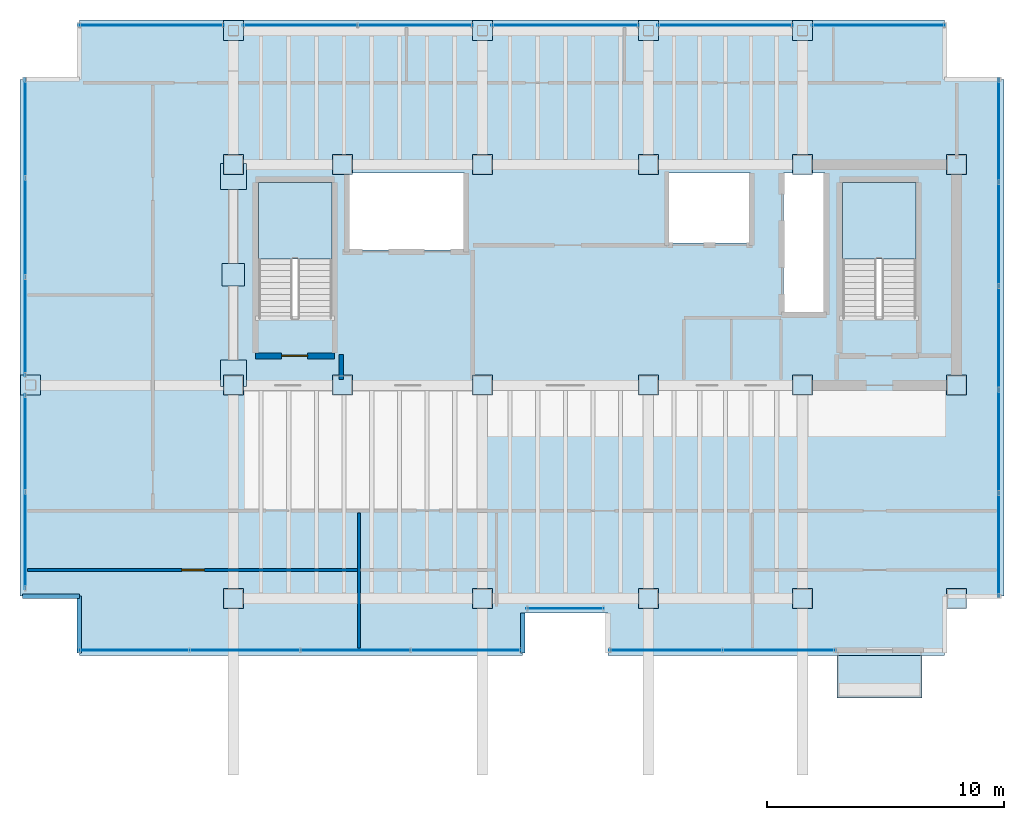
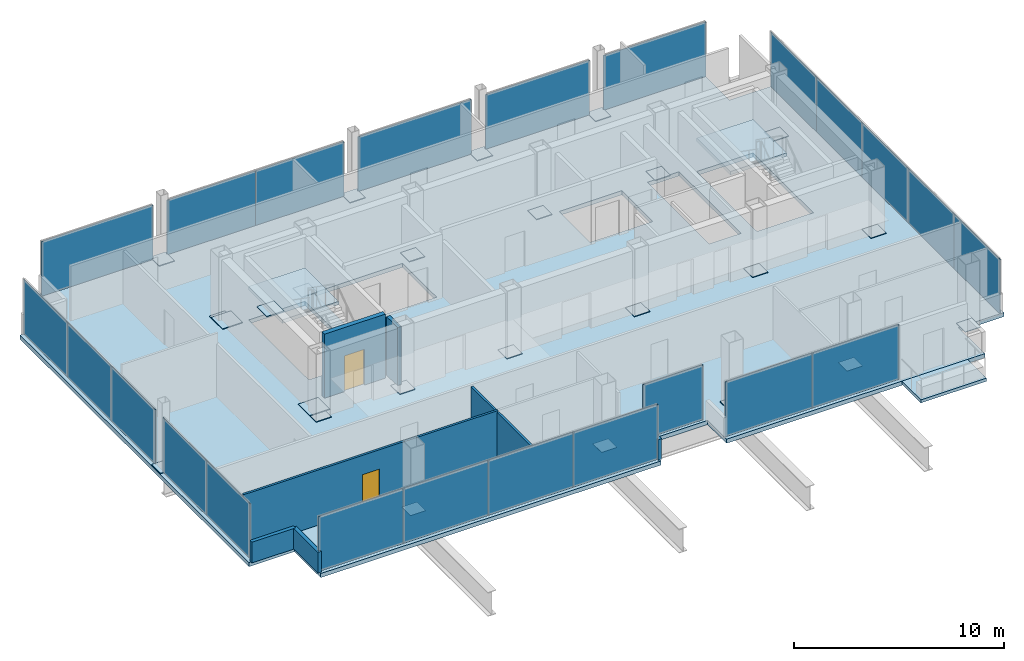
# One storey, part 16 of 19: 48 plates, 7 walls, 4 slabs, 2 doors, 7 openings, 13 elements without a shape of their own.
"""IFC4 building model written with IfcOpenShell, lengths in metres."""

import ifcopenshell
import ifcopenshell.guid

model = None  # the IFC model being written
_history = None  # IfcOwnerHistory: only IFC2X3 demands one
_inside = {}  # id of a spatial element -> (the spatial element, [elements in it])
_under = {}  # id of a project, library or spatial element -> (it, [spatial elements below it])
_declared = {}  # id of a project -> (the project, [libraries it declares])
_typed = {}  # id of a type object -> (the type object, [elements of that type])
_made_of = {}  # id of a material, layer set ... -> (it, [elements and type objects made of it])


def new_model(schema):
    """Start an empty IFC model of exactly this schema.

    Asked for "IFC4X3", IfcOpenShell would pick the latest addendum, in which some entities
    have other attributes; the version numbers below select the first issue.
    IFC2X3 requires an IfcOwnerHistory on every rooted entity: one is made here for all.
    """
    global model, _history
    if schema == "IFC4X3":
        model = ifcopenshell.file(schema_version=(4, 3, 0, 0))
    else:
        model = ifcopenshell.file(schema=schema)
    _inside.clear()
    _under.clear()
    _declared.clear()
    _typed.clear()
    _made_of.clear()
    _history = None
    if model.schema == "IFC2X3":
        org = make("IfcOrganization", Name="unknown")
        user = make(
            "IfcPersonAndOrganization",
            ThePerson=make("IfcPerson", FamilyName="unknown"),
            TheOrganization=org,
        )
        app = make(
            "IfcApplication",
            ApplicationDeveloper=org,
            Version="unknown",
            ApplicationFullName="unknown",
            ApplicationIdentifier="unknown",
        )
        _history = make(
            "IfcOwnerHistory",
            OwningUser=user,
            OwningApplication=app,
            ChangeAction="ADDED",
            CreationDate=0,
        )
    return model


def make(cls, **values):
    """One entity of the class cls with the attributes given. An attribute that is None is left unset."""
    return model.create_entity(
        cls, **{name: value for name, value in values.items() if value is not None}
    )


def rooted(cls, **values):
    """An entity with a GlobalId (a new one), such as an element, a storey or a relation."""
    return make(cls, GlobalId=ifcopenshell.guid.new(), OwnerHistory=_history, **values)


def si_unit(unit_type, name, prefix=None):
    """IfcSIUnit, for example si_unit("LENGTHUNIT", "METRE", prefix="MILLI")."""
    return make("IfcSIUnit", UnitType=unit_type, Prefix=prefix, Name=name)


def assignment(units):
    """IfcUnitAssignment: the units of a project."""
    return None if units is None else make("IfcUnitAssignment", Units=units)


def point(xyz):
    """IfcCartesianPoint."""
    return None if xyz is None else make("IfcCartesianPoint", Coordinates=xyz)


def direction(xyz):
    """IfcDirection."""
    return None if xyz is None else make("IfcDirection", DirectionRatios=xyz)


def frame(location, z_axis=None, x_axis=None):
    """IfcAxis2Placement3D, a coordinate frame: its origin and axes. An axis left out is left unset."""
    return make(
        "IfcAxis2Placement3D",
        Location=point(location),
        Axis=direction(z_axis),
        RefDirection=direction(x_axis),
    )


def frame_2d(location, x_axis=None):
    """IfcAxis2Placement2D, a coordinate frame in the plane: its origin and x axis."""
    return make(
        "IfcAxis2Placement2D", Location=point(location), RefDirection=direction(x_axis)
    )


def origin():
    """The frame at (0, 0, 0) with its axes left unset."""
    return frame((0.0, 0.0, 0.0))


def origin_2d():
    """The frame at (0, 0) in the plane with its x axis left unset."""
    return frame_2d((0.0, 0.0))


def place(relative_to, where):
    """IfcLocalPlacement: puts the frame where relative to a parent placement (None: the world)."""
    return make(
        "IfcLocalPlacement", PlacementRelTo=relative_to, RelativePlacement=where
    )


def context(
    kind, dimensions, precision=None, world=None, true_north=None, identifier=None
):
    """IfcGeometricRepresentationContext, for example the 3D "Model" context."""
    return make(
        "IfcGeometricRepresentationContext",
        ContextIdentifier=identifier,
        ContextType=kind,
        CoordinateSpaceDimension=dimensions,
        Precision=precision,
        WorldCoordinateSystem=world,
        TrueNorth=true_north,
    )


def subcontext(parent, identifier, kind, view, scale=None):
    """IfcGeometricRepresentationSubContext, for example "Body" below "Model"."""
    return make(
        "IfcGeometricRepresentationSubContext",
        ContextIdentifier=identifier,
        ContextType=kind,
        ParentContext=parent,
        TargetScale=scale,
        TargetView=view,
    )


def project(units=None, contexts=None):
    """IfcProject with its units and contexts."""
    return rooted(
        "IfcProject",
        Name="project",
        RepresentationContexts=contexts,
        UnitsInContext=assignment(units),
    )


def spatial(cls, under=None, at=None, **own):
    """A site, building, storey or space (cls), placed at a placement, below another one or the project."""
    s = rooted(cls, ObjectPlacement=at, **own)
    if under is not None:
        _under.setdefault(under.id(), (under, []))[1].append(s)
    return s


def polyline(points):
    """IfcPolyline through the points."""
    return make("IfcPolyline", Points=[point(p) for p in points])


def profile(cls, at=None, kind="AREA", **sizes):
    """A parametric profile (cls). Its sizes go by their IFC names, for example OverallWidth=200.0."""
    return make(cls, ProfileType=kind, Position=at, **sizes)


def rectangle(**sizes):
    """IfcRectangleProfileDef."""
    return profile("IfcRectangleProfileDef", **sizes)


def outline(outer, holes=None, kind="AREA"):
    """IfcArbitraryClosedProfileDef: a profile drawn as a closed curve; with holes, ...WithVoids."""
    if holes is None:
        return make("IfcArbitraryClosedProfileDef", ProfileType=kind, OuterCurve=outer)
    return make(
        "IfcArbitraryProfileDefWithVoids",
        ProfileType=kind,
        OuterCurve=outer,
        InnerCurves=holes,
    )


def extrude(swept, where, along, depth):
    """IfcExtrudedAreaSolid: the profile swept, set in the frame where, extruded along a direction by depth."""
    return make(
        "IfcExtrudedAreaSolid",
        SweptArea=swept,
        Position=where,
        ExtrudedDirection=direction(along),
        Depth=depth,
    )


def shape(context_of_items, identifier, shape_type, items):
    """IfcShapeRepresentation: the items that make up one representation, for example the "Body"."""
    return make(
        "IfcShapeRepresentation",
        ContextOfItems=context_of_items,
        RepresentationIdentifier=identifier,
        RepresentationType=shape_type,
        Items=items,
    )


def material(Name=None, Category=None):
    """IfcMaterial."""
    return make("IfcMaterial", Name=Name, Category=Category)


def layer(
    of_material, thickness, ventilated=None, Name=None, Category=None, Priority=None
):
    """IfcMaterialLayer: one layer of a wall or slab, of a material (None: an air gap)."""
    return make(
        "IfcMaterialLayer",
        Material=of_material,
        LayerThickness=thickness,
        IsVentilated=ventilated,
        Name=Name,
        Category=Category,
        Priority=Priority,
    )


def layer_set(layers, Name=None):
    """IfcMaterialLayerSet."""
    return make("IfcMaterialLayerSet", MaterialLayers=layers, LayerSetName=Name)


def made_of(thing, what):
    """Note that an element or type object is made of a material, layer set ...; save() writes the relation."""
    if what is not None:
        _made_of.setdefault(what.id(), (what, []))[1].append(thing)
    return thing


def type_object(cls, material=None, **own):
    """A type object (cls), such as IfcWallType, which elements share."""
    return made_of(rooted(cls, **own), material)


def element(
    cls,
    number,
    at=None,
    inside=None,
    cuts=None,
    type_object=None,
    material=None,
    context=None,
    identifier="Body",
    shape_type=None,
    held_by="IfcProductDefinitionShape",
    body=None,
    shapes=None,
    **own,
):
    """One element of the class cls, such as IfcWall. Its Tag is "e" and its number.

    at: its placement. inside: the storey or other place that contains it. cuts: it is an
    opening in that element (IfcRelVoidsElement). A single representation is given by context,
    identifier, shape_type and body (its items); several are given by shapes. held_by: the class
    of the entity that holds the representations. save() writes the other relations.
    """
    e = rooted(cls, Tag="e%d" % number, ObjectPlacement=at, **own)
    if body is not None:
        shapes = [shape(context, identifier, shape_type, body)]
    if shapes is not None:
        e.Representation = make(held_by, Representations=shapes)
    if inside is not None:
        _inside.setdefault(inside.id(), (inside, []))[1].append(e)
    if cuts is not None:
        rooted(
            "IfcRelVoidsElement", RelatingBuildingElement=cuts, RelatedOpeningElement=e
        )
    if type_object is not None:
        _typed.setdefault(type_object.id(), (type_object, []))[1].append(e)
    return made_of(e, material)


def fill(opening, filler):
    """IfcRelFillsElement: the door or window that sits in an opening."""
    return rooted(
        "IfcRelFillsElement",
        RelatingOpeningElement=opening,
        RelatedBuildingElement=filler,
    )


def aggregate(whole, parts):
    """IfcRelAggregates: a whole, such as a stair, and the parts it consists of."""
    return rooted("IfcRelAggregates", RelatingObject=whole, RelatedObjects=parts)


def save(model, path):
    """Write the relations noted so far, then the file.

    IfcRelAggregates (storeys below a building ...), IfcRelContainedInSpatialStructure (elements
    in a storey), IfcRelDefinesByType, IfcRelAssociatesMaterial and IfcRelDeclares: one each for
    every whole, place, type object, material and project.
    """
    for whole, parts in _under.values():
        aggregate(whole, parts)
    for where, things in _inside.values():
        rooted(
            "IfcRelContainedInSpatialStructure",
            RelatedElements=things,
            RelatingStructure=where,
        )
    for kind, things in _typed.values():
        rooted("IfcRelDefinesByType", RelatedObjects=things, RelatingType=kind)
    for what, things in _made_of.values():
        rooted("IfcRelAssociatesMaterial", RelatedObjects=things, RelatingMaterial=what)
    for by, libraries in _declared.values():
        rooted("IfcRelDeclares", RelatingContext=by, RelatedDefinitions=libraries)
    model.write(path)


model = new_model("IFC4")

# Units and contexts
model_context = context("Model", 3, precision=1e-05, world=origin(), true_north=direction((0.0, 1.0)))
body_context = subcontext(model_context, "Body", "Model", "MODEL_VIEW")
ifc_project = project(units=[si_unit("LENGTHUNIT", "METRE"), si_unit("AREAUNIT", "SQUARE_METRE"), si_unit("VOLUMEUNIT", "CUBIC_METRE"), si_unit("PLANEANGLEUNIT", "RADIAN"), si_unit("MASSUNIT", "GRAM", prefix="KILO")], contexts=[model_context])

# Site, building, storey
site_placement = place(None, origin())
site = spatial("IfcSite", under=ifc_project, at=site_placement, CompositionType="ELEMENT")
building_placement = place(site_placement, origin())
building = spatial("IfcBuilding", under=site, at=building_placement, Name="Noeulbin Bourse Tower", CompositionType="ELEMENT")
storey_placement = place(building_placement, frame((0.0, 0.0, 257.89990234375)))
storey = spatial("IfcBuildingStorey", under=building, at=storey_placement, Name="L64", CompositionType="ELEMENT", Elevation=257.89990234375)

# Curtain wall, plate
ifc_material_1 = material(Name="High-Selectivity Low-Iron Glazing", Category="glass")
curtain_wall_type = type_object("IfcCurtainWallType", Name="CW-SYS-4", PredefinedType="NOTDEFINED", material=ifc_material_1)
curtain_wall_1_placement = place(storey_placement, origin())
curtain_wall_1 = element("IfcCurtainWall", 1, at=curtain_wall_1_placement, inside=storey, type_object=curtain_wall_type, Name="Unitised Curtain Wall CW-L64-SREC", PredefinedType="NOTDEFINED")
ifc_layer_1 = layer(ifc_material_1, 0.035888671875)
ifc_layer_set_1 = layer_set([ifc_layer_1], Name="High-Selectivity Low-Iron Glazing")
plate_type_1 = type_object("IfcPlateType", Name="CW-SYS-4-PNL", PredefinedType="CURTAIN_PANEL", material=ifc_layer_set_1)
plate_1_placement = place(storey_placement, frame((27.5, 19.580078125, 0.0), z_axis=(0.0, 0.0, 1.0), x_axis=(1.0, 0.0, 0.0)))
plate_1 = element("IfcPlate", 2, at=plate_1_placement, type_object=plate_type_1, Name="Glazed Curtain Panel CW-L64-SREC-P00", PredefinedType="CURTAIN_PANEL", context=body_context, shape_type="SweptSolid", body=[
    extrude(rectangle(XDim=3.300048828125, YDim=0.035888671875, at=origin_2d()), origin(), (0.0, 0.0, 1.0), 3.179931640625),
])
aggregate(curtain_wall_1, [plate_1])

# Curtain wall, plates
curtain_wall_2_placement = place(storey_placement, origin())
curtain_wall_2 = element("IfcCurtainWall", 3, at=curtain_wall_2_placement, inside=storey, type_object=curtain_wall_type, Name="Unitised Curtain Wall CW-L64-S1", PredefinedType="NOTDEFINED")
plate_2_placement = place(storey_placement, frame((9.313720703125, 17.820068359375, 0.0), z_axis=(0.0, 0.0, 1.0), x_axis=(1.0, 0.0, 0.0)))
plate_2 = element("IfcPlate", 4, at=plate_2_placement, type_object=plate_type_1, Name="Glazed Curtain Panel CW-L64-S1-P00", PredefinedType="CURTAIN_PANEL", context=body_context, shape_type="SweptSolid", body=[
    extrude(rectangle(XDim=4.66748046875, YDim=0.035888671875, at=origin_2d()), origin(), (0.0, 0.0, 1.0), 3.179931640625),
])
plate_3_placement = place(storey_placement, frame((13.981201171875, 17.820068359375, 0.0), z_axis=(0.0, 0.0, 1.0), x_axis=(1.0, 0.0, 0.0)))
plate_3 = element("IfcPlate", 5, at=plate_3_placement, type_object=plate_type_1, Name="Glazed Curtain Panel CW-L64-S1-P01", PredefinedType="CURTAIN_PANEL", context=body_context, shape_type="SweptSolid", body=[
    extrude(rectangle(XDim=4.66748046875, YDim=0.035888671875, at=origin_2d()), origin(), (0.0, 0.0, 1.0), 3.179931640625),
])
plate_4_placement = place(storey_placement, frame((18.648681640625, 17.820068359375, 0.0), z_axis=(0.0, 0.0, 1.0), x_axis=(1.0, 0.0, 0.0)))
plate_4 = element("IfcPlate", 6, at=plate_4_placement, type_object=plate_type_1, Name="Glazed Curtain Panel CW-L64-S1-P02", PredefinedType="CURTAIN_PANEL", context=body_context, shape_type="SweptSolid", body=[
    extrude(rectangle(XDim=4.66748046875, YDim=0.035888671875, at=origin_2d()), origin(), (0.0, 0.0, 1.0), 3.179931640625),
])
plate_5_placement = place(storey_placement, frame((23.31640625, 17.820068359375, 0.0), z_axis=(0.0, 0.0, 1.0), x_axis=(1.0, 0.0, 0.0)))
plate_5 = element("IfcPlate", 7, at=plate_5_placement, type_object=plate_type_1, Name="Glazed Curtain Panel CW-L64-S1-P03", PredefinedType="CURTAIN_PANEL", context=body_context, shape_type="SweptSolid", body=[
    extrude(rectangle(XDim=4.66748046875, YDim=0.035888671875, at=origin_2d()), origin(), (0.0, 0.0, 1.0), 3.179931640625),
])
aggregate(curtain_wall_2, [plate_2, plate_3, plate_4, plate_5])

curtain_wall_3_placement = place(storey_placement, origin())
curtain_wall_3 = element("IfcCurtainWall", 8, at=curtain_wall_3_placement, inside=storey, type_object=curtain_wall_type, Name="Unitised Curtain Wall CW-L64-S2", PredefinedType="NOTDEFINED")
plate_6_placement = place(storey_placement, frame((31.737548828125, 17.820068359375, 0.0), z_axis=(0.0, 0.0, 1.0), x_axis=(1.0, 0.0, 0.0)))
plate_6 = element("IfcPlate", 9, at=plate_6_placement, type_object=plate_type_1, Name="Glazed Curtain Panel CW-L64-S2-P00", PredefinedType="CURTAIN_PANEL", context=body_context, shape_type="SweptSolid", body=[
    extrude(rectangle(XDim=4.77490234375, YDim=0.035888671875, at=origin_2d()), origin(), (0.0, 0.0, 1.0), 3.179931640625),
])
plate_7_placement = place(storey_placement, frame((36.512451171875, 17.820068359375, 0.0), z_axis=(0.0, 0.0, 1.0), x_axis=(1.0, 0.0, 0.0)))
plate_7 = element("IfcPlate", 10, at=plate_7_placement, type_object=plate_type_1, Name="Glazed Curtain Panel CW-L64-S2-P01", PredefinedType="CURTAIN_PANEL", context=body_context, shape_type="SweptSolid", body=[
    extrude(rectangle(XDim=4.77490234375, YDim=0.035888671875, at=origin_2d()), origin(), (0.0, 0.0, 1.0), 3.179931640625),
])
aggregate(curtain_wall_3, [plate_6, plate_7])

# Curtain wall, plate
curtain_wall_4_placement = place(storey_placement, origin())
curtain_wall_4 = element("IfcCurtainWall", 11, at=curtain_wall_4_placement, inside=storey, type_object=curtain_wall_type, Name="Unitised Curtain Wall CW-L64-N-S1", PredefinedType="NOTDEFINED")
plate_8_placement = place(storey_placement, frame((10.047607421875, 44.179931640625, 0.0), z_axis=(0.0, 0.0, 1.0), x_axis=(1.0, 0.0, 0.0)))
plate_8 = element("IfcPlate", 12, at=plate_8_placement, type_object=plate_type_1, Name="Glazed Curtain Panel CW-L64-N-S1-P00", PredefinedType="CURTAIN_PANEL", context=body_context, shape_type="SweptSolid", body=[
    extrude(rectangle(XDim=6.135009765625, YDim=0.035888671875, at=origin_2d()), origin(), (0.0, 0.0, 1.0), 3.179931640625),
])
aggregate(curtain_wall_4, [plate_8])

# Curtain wall, plates
curtain_wall_5_placement = place(storey_placement, origin())
curtain_wall_5 = element("IfcCurtainWall", 13, at=curtain_wall_5_placement, inside=storey, type_object=curtain_wall_type, Name="Unitised Curtain Wall CW-L64-N-S2", PredefinedType="NOTDEFINED")
plate_9_placement = place(storey_placement, frame((16.3173828125, 44.179931640625, 0.0), z_axis=(0.0, 0.0, 1.0), x_axis=(1.0, 0.0, 0.0)))
plate_9 = element("IfcPlate", 14, at=plate_9_placement, type_object=plate_type_1, Name="Glazed Curtain Panel CW-L64-N-S2-P00", PredefinedType="CURTAIN_PANEL", context=body_context, shape_type="SweptSolid", body=[
    extrude(rectangle(XDim=4.864990234375, YDim=0.035888671875, at=origin_2d()), origin(), (0.0, 0.0, 1.0), 3.179931640625),
])
plate_10_placement = place(storey_placement, frame((21.1826171875, 44.179931640625, 0.0), z_axis=(0.0, 0.0, 1.0), x_axis=(1.0, 0.0, 0.0)))
plate_10 = element("IfcPlate", 15, at=plate_10_placement, type_object=plate_type_1, Name="Glazed Curtain Panel CW-L64-N-S2-P01", PredefinedType="CURTAIN_PANEL", context=body_context, shape_type="SweptSolid", body=[
    extrude(rectangle(XDim=4.864990234375, YDim=0.035888671875, at=origin_2d()), origin(), (0.0, 0.0, 1.0), 3.179931640625),
])
aggregate(curtain_wall_5, [plate_9, plate_10])

# Curtain wall, plate
curtain_wall_6_placement = place(storey_placement, origin())
curtain_wall_6 = element("IfcCurtainWall", 16, at=curtain_wall_6_placement, inside=storey, type_object=curtain_wall_type, Name="Unitised Curtain Wall CW-L64-N-S3", PredefinedType="NOTDEFINED")
plate_11_placement = place(storey_placement, frame((27.5, 44.179931640625, 0.0), z_axis=(0.0, 0.0, 1.0), x_axis=(1.0, 0.0, 0.0)))
plate_11 = element("IfcPlate", 17, at=plate_11_placement, type_object=plate_type_1, Name="Glazed Curtain Panel CW-L64-N-S3-P00", PredefinedType="CURTAIN_PANEL", context=body_context, shape_type="SweptSolid", body=[
    extrude(rectangle(XDim=6.22998046875, YDim=0.035888671875, at=origin_2d()), origin(), (0.0, 0.0, 1.0), 3.179931640625),
])
aggregate(curtain_wall_6, [plate_11])

curtain_wall_7_placement = place(storey_placement, origin())
curtain_wall_7 = element("IfcCurtainWall", 18, at=curtain_wall_7_placement, inside=storey, type_object=curtain_wall_type, Name="Unitised Curtain Wall CW-L64-N-S4", PredefinedType="NOTDEFINED")
plate_12_placement = place(storey_placement, frame((34.25, 44.179931640625, 0.0), z_axis=(0.0, 0.0, 1.0), x_axis=(1.0, 0.0, 0.0)))
plate_12 = element("IfcPlate", 19, at=plate_12_placement, type_object=plate_type_1, Name="Glazed Curtain Panel CW-L64-N-S4-P00", PredefinedType="CURTAIN_PANEL", context=body_context, shape_type="SweptSolid", body=[
    extrude(rectangle(XDim=5.72998046875, YDim=0.035888671875, at=origin_2d()), origin(), (0.0, 0.0, 1.0), 3.179931640625),
])
aggregate(curtain_wall_7, [plate_12])

curtain_wall_8_placement = place(storey_placement, origin())
curtain_wall_8 = element("IfcCurtainWall", 20, at=curtain_wall_8_placement, inside=storey, type_object=curtain_wall_type, Name="Unitised Curtain Wall CW-L64-N-S5", PredefinedType="NOTDEFINED")
plate_13_placement = place(storey_placement, frame((40.702392578125, 44.179931640625, 0.0), z_axis=(0.0, 0.0, 1.0), x_axis=(1.0, 0.0, 0.0)))
plate_13 = element("IfcPlate", 21, at=plate_13_placement, type_object=plate_type_1, Name="Glazed Curtain Panel CW-L64-N-S5-P00", PredefinedType="CURTAIN_PANEL", context=body_context, shape_type="SweptSolid", body=[
    extrude(rectangle(XDim=5.635009765625, YDim=0.035888671875, at=origin_2d()), origin(), (0.0, 0.0, 1.0), 3.179931640625),
])
aggregate(curtain_wall_8, [plate_13])

# Curtain wall, plates
curtain_wall_9_placement = place(storey_placement, origin())
curtain_wall_9 = element("IfcCurtainWall", 22, at=curtain_wall_9_placement, inside=storey, type_object=curtain_wall_type, Name="Unitised Curtain Wall CW-L64-W-S1", PredefinedType="NOTDEFINED")
plate_14_placement = place(storey_placement, frame((4.719970703125, 22.4423828125, 0.0), z_axis=(0.0, 0.0, 1.0), x_axis=(0.0, 1.0, 0.0)))
plate_14 = element("IfcPlate", 23, at=plate_14_placement, type_object=plate_type_1, Name="Glazed Curtain Panel CW-L64-W-S1-P00", PredefinedType="CURTAIN_PANEL", context=body_context, shape_type="SweptSolid", body=[
    extrude(rectangle(XDim=4.114990234375, YDim=0.035888671875, at=origin_2d()), origin(), (0.0, 0.0, 1.0), 3.179931640625),
])
plate_15_placement = place(storey_placement, frame((4.719970703125, 26.5576171875, 0.0), z_axis=(0.0, 0.0, 1.0), x_axis=(0.0, 1.0, 0.0)))
plate_15 = element("IfcPlate", 24, at=plate_15_placement, type_object=plate_type_1, Name="Glazed Curtain Panel CW-L64-W-S1-P01", PredefinedType="CURTAIN_PANEL", context=body_context, shape_type="SweptSolid", body=[
    extrude(rectangle(XDim=4.114990234375, YDim=0.035888671875, at=origin_2d()), origin(), (0.0, 0.0, 1.0), 3.179931640625),
])
aggregate(curtain_wall_9, [plate_14, plate_15])

curtain_wall_10_placement = place(storey_placement, origin())
curtain_wall_10 = element("IfcCurtainWall", 25, at=curtain_wall_10_placement, inside=storey, type_object=curtain_wall_type, Name="Unitised Curtain Wall CW-L64-W-S2", PredefinedType="NOTDEFINED")
plate_16_placement = place(storey_placement, frame((4.719970703125, 31.47412109375, 0.0), z_axis=(0.0, 0.0, 1.0), x_axis=(0.0, 1.0, 0.0)))
plate_16 = element("IfcPlate", 26, at=plate_16_placement, type_object=plate_type_1, Name="Glazed Curtain Panel CW-L64-W-S2-P00", PredefinedType="CURTAIN_PANEL", context=body_context, shape_type="SweptSolid", body=[
    extrude(rectangle(XDim=4.17822265625, YDim=0.035888671875, at=origin_2d()), origin(), (0.0, 0.0, 1.0), 3.179931640625),
])
plate_17_placement = place(storey_placement, frame((4.719970703125, 35.652587890625, 0.0), z_axis=(0.0, 0.0, 1.0), x_axis=(0.0, 1.0, 0.0)))
plate_17 = element("IfcPlate", 27, at=plate_17_placement, type_object=plate_type_1, Name="Glazed Curtain Panel CW-L64-W-S2-P01", PredefinedType="CURTAIN_PANEL", context=body_context, shape_type="SweptSolid", body=[
    extrude(rectangle(XDim=4.17822265625, YDim=0.035888671875, at=origin_2d()), origin(), (0.0, 0.0, 1.0), 3.179931640625),
])
plate_18_placement = place(storey_placement, frame((4.719970703125, 39.830810546875, 0.0), z_axis=(0.0, 0.0, 1.0), x_axis=(0.0, 1.0, 0.0)))
plate_18 = element("IfcPlate", 28, at=plate_18_placement, type_object=plate_type_1, Name="Glazed Curtain Panel CW-L64-W-S2-P02", PredefinedType="CURTAIN_PANEL", context=body_context, shape_type="SweptSolid", body=[
    extrude(rectangle(XDim=4.17822265625, YDim=0.035888671875, at=origin_2d()), origin(), (0.0, 0.0, 1.0), 3.179931640625),
])
aggregate(curtain_wall_10, [plate_16, plate_17, plate_18])

curtain_wall_11_placement = place(storey_placement, origin())
curtain_wall_11 = element("IfcCurtainWall", 29, at=curtain_wall_11_placement, inside=storey, type_object=curtain_wall_type, Name="Unitised Curtain Wall CW-L64-E", PredefinedType="NOTDEFINED")
plate_19_placement = place(storey_placement, frame((45.780029296875, 22.263916015625, 0.0), z_axis=(0.0, 0.0, 1.0), x_axis=(0.0, 1.0, 0.0)))
plate_19 = element("IfcPlate", 30, at=plate_19_placement, type_object=plate_type_1, Name="Glazed Curtain Panel CW-L64-E-P00", PredefinedType="CURTAIN_PANEL", context=body_context, shape_type="SweptSolid", body=[
    extrude(rectangle(XDim=4.367919921875, YDim=0.035888671875, at=origin_2d()), origin(), (0.0, 0.0, 1.0), 3.179931640625),
])
plate_20_placement = place(storey_placement, frame((45.780029296875, 26.632080078125, 0.0), z_axis=(0.0, 0.0, 1.0), x_axis=(0.0, 1.0, 0.0)))
plate_20 = element("IfcPlate", 31, at=plate_20_placement, type_object=plate_type_1, Name="Glazed Curtain Panel CW-L64-E-P01", PredefinedType="CURTAIN_PANEL", context=body_context, shape_type="SweptSolid", body=[
    extrude(rectangle(XDim=4.367919921875, YDim=0.035888671875, at=origin_2d()), origin(), (0.0, 0.0, 1.0), 3.179931640625),
])
plate_21_placement = place(storey_placement, frame((45.780029296875, 31.0, 0.0), z_axis=(0.0, 0.0, 1.0), x_axis=(0.0, 1.0, 0.0)))
plate_21 = element("IfcPlate", 32, at=plate_21_placement, type_object=plate_type_1, Name="Glazed Curtain Panel CW-L64-E-P02", PredefinedType="CURTAIN_PANEL", context=body_context, shape_type="SweptSolid", body=[
    extrude(rectangle(XDim=4.367919921875, YDim=0.035888671875, at=origin_2d()), origin(), (0.0, 0.0, 1.0), 3.179931640625),
])
plate_22_placement = place(storey_placement, frame((45.780029296875, 35.367919921875, 0.0), z_axis=(0.0, 0.0, 1.0), x_axis=(0.0, 1.0, 0.0)))
plate_22 = element("IfcPlate", 33, at=plate_22_placement, type_object=plate_type_1, Name="Glazed Curtain Panel CW-L64-E-P03", PredefinedType="CURTAIN_PANEL", context=body_context, shape_type="SweptSolid", body=[
    extrude(rectangle(XDim=4.367919921875, YDim=0.035888671875, at=origin_2d()), origin(), (0.0, 0.0, 1.0), 3.179931640625),
])
plate_23_placement = place(storey_placement, frame((45.780029296875, 39.736083984375, 0.0), z_axis=(0.0, 0.0, 1.0), x_axis=(0.0, 1.0, 0.0)))
plate_23 = element("IfcPlate", 34, at=plate_23_placement, type_object=plate_type_1, Name="Glazed Curtain Panel CW-L64-E-P04", PredefinedType="CURTAIN_PANEL", context=body_context, shape_type="SweptSolid", body=[
    extrude(rectangle(XDim=4.367919921875, YDim=0.035888671875, at=origin_2d()), origin(), (0.0, 0.0, 1.0), 3.179931640625),
])
aggregate(curtain_wall_11, [plate_19, plate_20, plate_21, plate_22, plate_23])

# Plates
ifc_material_2 = material(Name="Steel S355", Category="steel")
ifc_layer_2 = layer(ifc_material_2, 0.030029296875)
ifc_layer_set_2 = layer_set([ifc_layer_2], Name="Steel S355")
plate_type_2 = type_object("IfcPlateType", Name="PLT-BN1", PredefinedType="USERDEFINED", material=ifc_layer_set_2)
for number, where, z_axis, x_axis, name in (
    (35, (13.5, 29.0, 0.0048828125), (0.0, 0.0, 1.0), (1.0, 0.0, 0.0), "Mega-Column Splice Plate BN1-L64-01"),
    (36, (13.5, 38.300048828125, 0.0048828125), (0.0, 0.0, 1.0), (1.0, 0.0, 0.0), "Mega-Column Splice Plate BN1-L64-02"),
    (37, (18.10009765625, 29.0, 0.0048828125), (0.0, 0.0, 1.0), (1.0, 0.0, 0.0), "Mega-Column Splice Plate BN1-L64-03"),
    (38, (18.10009765625, 38.300048828125, 0.0048828125), (0.0, 0.0, 1.0), (1.0, 0.0, 0.0), "Mega-Column Splice Plate BN1-L64-04"),
    (39, (24.0, 29.0, 0.0048828125), (0.0, 0.0, 1.0), (1.0, 0.0, 0.0), "Mega-Column Splice Plate BN1-L64-05"),
    (40, (24.0, 38.300048828125, 0.0048828125), (0.0, 0.0, 1.0), (1.0, 0.0, 0.0), "Mega-Column Splice Plate BN1-L64-06"),
    (41, (31.0, 29.0, 0.0048828125), (0.0, 0.0, 1.0), (1.0, 0.0, 0.0), "Mega-Column Splice Plate BN1-L64-07"),
    (42, (31.0, 38.300048828125, 0.0048828125), (0.0, 0.0, 1.0), (1.0, 0.0, 0.0), "Mega-Column Splice Plate BN1-L64-08"),
    (43, (37.5, 29.0, 0.0048828125), (0.0, 0.0, 1.0), (1.0, 0.0, 0.0), "Mega-Column Splice Plate BN1-L64-09"),
    (44, (37.5, 38.300048828125, 0.0048828125), (0.0, 0.0, 1.0), (1.0, 0.0, 0.0), "Mega-Column Splice Plate BN1-L64-10"),
    (45, (44.0, 29.0, 0.0048828125), (0.0, 0.0, 1.0), (1.0, 0.0, 0.0), "Mega-Column Splice Plate BN1-L64-11"),
    (46, (44.0, 38.300048828125, 0.0048828125), (0.0, 0.0, 1.0), (1.0, 0.0, 0.0), "Mega-Column Splice Plate BN1-L64-12"),
    (47, (13.5, 20.0, 0.0048828125), (0.0, 0.0, 1.0), (1.0, 0.0, 0.0), "Mega-Column Splice Plate BN1-L64-13"),
    (48, (24.0, 20.0, 0.0048828125), (0.0, 0.0, 1.0), (1.0, 0.0, 0.0), "Mega-Column Splice Plate BN1-L64-14"),
    (49, (31.0, 20.0, 0.0048828125), (0.0, 0.0, 1.0), (1.0, 0.0, 0.0), "Mega-Column Splice Plate BN1-L64-15"),
    (50, (37.5, 20.0, 0.0048828125), (0.0, 0.0, 1.0), (1.0, 0.0, 0.0), "Mega-Column Splice Plate BN1-L64-16"),
    (51, (44.0, 20.0, 0.0048828125), (0.0, 0.0, 1.0), (1.0, 0.0, 0.0), "Mega-Column Splice Plate BN1-L64-17"),
    (52, (4.949951171875, 29.0, 0.0048828125), (0.0, 0.0, 1.0), (1.0, 0.0, 0.0), "Perimeter Column Splice Plate BN1-L64-01"),
    (53, (13.5, 43.949951171875, 0.0048828125), (0.0, 0.0, 1.0), (1.0, 0.0, 0.0), "Perimeter Column Splice Plate BN1-L64-02"),
    (54, (24.0, 43.949951171875, 0.0048828125), (0.0, 0.0, 1.0), (1.0, 0.0, 0.0), "Perimeter Column Splice Plate BN1-L64-03"),
    (55, (31.0, 43.949951171875, 0.0048828125), (0.0, 0.0, 1.0), (1.0, 0.0, 0.0), "Perimeter Column Splice Plate BN1-L64-04"),
    (56, (37.5, 43.949951171875, 0.0048828125), (0.0, 0.0, 1.0), (1.0, 0.0, 0.0), "Perimeter Column Splice Plate BN1-L64-05"),
):
    element("IfcPlate", number, at=place(storey_placement, frame(where, z_axis=z_axis, x_axis=x_axis)), inside=storey, type_object=plate_type_2, Name=name, ObjectType="SPLICE PLATE", PredefinedType="USERDEFINED", context=body_context, shape_type="SweptSolid", body=[
        extrude(rectangle(XDim=0.85009765625, YDim=0.85009765625, at=origin_2d()), origin(), (0.0, 0.0, 1.0), 0.030029296875),
    ])
ifc_material_3 = material(Name="Steel S460", Category="steel")
ifc_layer_3 = layer(ifc_material_3, 0.035888671875)
ifc_layer_set_3 = layer_set([ifc_layer_3], Name="Steel S460")
plate_type_3 = type_object("IfcPlateType", Name="PLT-KN2", PredefinedType="USERDEFINED", material=ifc_layer_set_3)
for number, where, z_axis, x_axis, name in (
    (57, (13.5, 29.5, 0.18212890625), (0.0, 0.0, 1.0), (1.0, 0.0, 0.0), "Core Flank Brace South Gusset Plate KN2-L64-WA"),
    (58, (13.5, 37.800048828125, 0.18212890625), (0.0, 0.0, 1.0), (1.0, 0.0, 0.0), "Core Flank Brace North Gusset Plate KN2-L64-WB"),
):
    element("IfcPlate", number, at=place(storey_placement, frame(where, z_axis=z_axis, x_axis=x_axis)), inside=storey, type_object=plate_type_3, Name=name, ObjectType="GUSSET PLATE", PredefinedType="USERDEFINED", context=body_context, shape_type="SweptSolid", body=[
        extrude(rectangle(XDim=1.10009765625, YDim=1.10009765625, at=origin_2d()), origin(), (0.0, 0.0, 1.0), 0.035888671875),
    ])
ifc_layer_4 = layer(ifc_material_2, 0.031982421875)
ifc_layer_set_4 = layer_set([ifc_layer_4], Name="Steel S355")
plate_type_4 = type_object("IfcPlateType", Name="PLT-KN3", PredefinedType="USERDEFINED", material=ifc_layer_set_4)
plate_24_placement = place(storey_placement, frame((13.5, 33.64990234375, 3.35400390625), z_axis=(0.0, 0.0, 1.0), x_axis=(1.0, 0.0, 0.0)))
element("IfcPlate", 59, at=plate_24_placement, inside=storey, type_object=plate_type_4, Name="Core Flank Brace Apex End Plate KN3-L64-W", ObjectType="END PLATE", PredefinedType="USERDEFINED", context=body_context, shape_type="SweptSolid", body=[
    extrude(rectangle(XDim=0.949951171875, YDim=0.949951171875, at=origin_2d()), origin(), (0.0, 0.0, 1.0), 0.031982421875),
])

# Stair, slab
ifc_material_4 = material(Name="Concrete C40/50", Category="concrete")
stair_type = type_object("IfcStairType", Name="STR-CORE-1560", PredefinedType="HALF_TURN_STAIR", material=ifc_material_4)
stair_1_placement = place(storey_placement, origin())
stair_1 = element("IfcStair", 60, at=stair_1_placement, inside=storey, type_object=stair_type, Name="L64 ST-1", PredefinedType="HALF_TURN_STAIR")
ifc_layer_5 = layer(ifc_material_4, 0.199951171875)
ifc_layer_set_5 = layer_set([ifc_layer_5], Name="Concrete C40/50")
slab_type_1 = type_object("IfcSlabType", Name="SLB-LND-200", PredefinedType="LANDING", material=ifc_layer_set_5)
slab_1_placement = place(storey_placement, frame((0.0, 0.0, 1.75)))
slab_1 = element("IfcSlab", 61, at=slab_1_placement, type_object=slab_type_1, Name="ST-1 landing 1", PredefinedType="LANDING", context=body_context, shape_type="SweptSolid", body=[
    extrude(outline(polyline([(17.64990234375, 34.330078125), (17.64990234375, 37.5439453125), (14.550048828125, 37.5439453125), (14.550048828125, 34.330078125), (17.64990234375, 34.330078125)])), origin(), (0.0, 0.0, 1.0), 0.2001953125),
])
aggregate(stair_1, [slab_1])

stair_2_placement = place(storey_placement, origin())
stair_2 = element("IfcStair", 62, at=stair_2_placement, inside=storey, type_object=stair_type, Name="L64 ST-2", PredefinedType="HALF_TURN_STAIR")
slab_2_placement = place(storey_placement, frame((0.0, 0.0, 1.75)))
slab_2 = element("IfcSlab", 63, at=slab_2_placement, type_object=slab_type_1, Name="ST-2 landing 1", PredefinedType="LANDING", context=body_context, shape_type="SweptSolid", body=[
    extrude(outline(polyline([(42.280029296875, 34.330078125), (42.280029296875, 37.5439453125), (39.179931640625, 37.5439453125), (39.179931640625, 34.330078125), (42.280029296875, 34.330078125)])), origin(), (0.0, 0.0, 1.0), 0.2001953125),
])
aggregate(stair_2, [slab_2])

# Slab, openings
ifc_layer_6 = layer(ifc_material_4, 0.239990234375)
ifc_layer_set_6 = layer_set([ifc_layer_6], Name="Concrete C40/50")
slab_type_2 = type_object("IfcSlabType", Name="SLB-TRF-240", PredefinedType="FLOOR", material=ifc_layer_set_6)
slab_3_placement = place(storey_placement, frame((0.0, 0.0, -0.239990234375)))
slab_3 = element("IfcSlab", 64, at=slab_3_placement, inside=storey, type_object=slab_type_2, Name="Tower Structural Floor Slab L64", PredefinedType="FLOOR", context=body_context, shape_type="SweptSolid", body=[
    extrude(outline(polyline([(7.0, 17.60009765625), (25.699951171875, 17.60009765625), (25.699951171875, 19.39990234375), (29.300048828125, 19.39990234375), (29.300048828125, 17.60009765625), (43.5, 17.60009765625), (43.5, 20.10009765625), (46.0, 20.10009765625), (46.0, 41.89990234375), (43.5, 41.89990234375), (43.5, 44.39990234375), (7.0, 44.39990234375), (7.0, 41.89990234375), (4.5, 41.89990234375), (4.5, 20.10009765625), (7.0, 20.10009765625), (7.0, 17.60009765625)]), holes=[polyline([(17.64990234375, 31.81005859375), (17.64990234375, 37.5439453125), (14.550048828125, 37.5439453125), (14.550048828125, 31.81005859375), (17.64990234375, 31.81005859375)]), polyline([(42.280029296875, 31.81005859375), (42.280029296875, 37.5439453125), (39.179931640625, 37.5439453125), (39.179931640625, 31.81005859375), (42.280029296875, 31.81005859375)]), polyline([(18.35009765625, 34.699951171875), (23.25, 34.699951171875), (23.25, 37.949951171875), (18.35009765625, 37.949951171875), (18.35009765625, 34.699951171875)]), polyline([(36.699951171875, 32.050048828125), (38.449951171875, 32.050048828125), (38.449951171875, 37.949951171875), (36.699951171875, 37.949951171875), (36.699951171875, 32.050048828125)]), polyline([(31.85009765625, 35.0), (35.300048828125, 35.0), (35.300048828125, 37.949951171875), (31.85009765625, 37.949951171875), (31.85009765625, 35.0)])]), origin(), (0.0, 0.0, 1.0), 0.239990234375),
])
opening_1_placement = place(slab_3_placement, frame((0.0, 0.0, -0.010009765625)))
element("IfcOpeningElement", 65, at=opening_1_placement, cuts=slab_3, Name="Slab Shaft Opening SLB-L64-TWR-1", PredefinedType="OPENING", context=body_context, shape_type="SweptSolid", body=[
    extrude(outline(polyline([(17.64990234375, 31.81005859375), (17.64990234375, 37.5439453125), (14.550048828125, 37.5439453125), (14.550048828125, 31.81005859375), (17.64990234375, 31.81005859375)])), origin(), (0.0, 0.0, 1.0), 0.260009765625),
])
opening_2_placement = place(slab_3_placement, frame((0.0, 0.0, -0.010009765625)))
element("IfcOpeningElement", 66, at=opening_2_placement, cuts=slab_3, Name="Slab Shaft Opening SLB-L64-TWR-2", PredefinedType="OPENING", context=body_context, shape_type="SweptSolid", body=[
    extrude(outline(polyline([(42.280029296875, 31.81005859375), (42.280029296875, 37.5439453125), (39.179931640625, 37.5439453125), (39.179931640625, 31.81005859375), (42.280029296875, 31.81005859375)])), origin(), (0.0, 0.0, 1.0), 0.260009765625),
])
opening_3_placement = place(slab_3_placement, frame((0.0, 0.0, -0.010009765625)))
element("IfcOpeningElement", 67, at=opening_3_placement, cuts=slab_3, Name="Slab Shaft Opening SLB-L64-TWR-3", PredefinedType="OPENING", context=body_context, shape_type="SweptSolid", body=[
    extrude(outline(polyline([(18.35009765625, 34.699951171875), (23.25, 34.699951171875), (23.25, 37.949951171875), (18.35009765625, 37.949951171875), (18.35009765625, 34.699951171875)])), origin(), (0.0, 0.0, 1.0), 0.260009765625),
])
opening_4_placement = place(slab_3_placement, frame((0.0, 0.0, -0.010009765625)))
element("IfcOpeningElement", 68, at=opening_4_placement, cuts=slab_3, Name="Slab Shaft Opening SLB-L64-TWR-4", PredefinedType="OPENING", context=body_context, shape_type="SweptSolid", body=[
    extrude(outline(polyline([(36.699951171875, 32.050048828125), (38.449951171875, 32.050048828125), (38.449951171875, 37.949951171875), (36.699951171875, 37.949951171875), (36.699951171875, 32.050048828125)])), origin(), (0.0, 0.0, 1.0), 0.260009765625),
])
opening_5_placement = place(slab_3_placement, frame((0.0, 0.0, -0.010009765625)))
element("IfcOpeningElement", 69, at=opening_5_placement, cuts=slab_3, Name="Slab Shaft Opening SLB-L64-TWR-5", PredefinedType="OPENING", context=body_context, shape_type="SweptSolid", body=[
    extrude(outline(polyline([(31.85009765625, 35.0), (35.300048828125, 35.0), (35.300048828125, 37.949951171875), (31.85009765625, 37.949951171875), (31.85009765625, 35.0)])), origin(), (0.0, 0.0, 1.0), 0.260009765625),
])

# Slab
ifc_layer_7 = layer(ifc_material_4, 0.179931640625)
ifc_layer_set_7 = layer_set([ifc_layer_7], Name="Concrete C40/50")
slab_type_3 = type_object("IfcSlabType", Name="SLB-TYP-180", PredefinedType="FLOOR", material=ifc_layer_set_7)
slab_4_placement = place(storey_placement, frame((0.0, 0.0, -0.179931640625)))
element("IfcSlab", 70, at=slab_4_placement, inside=storey, type_object=slab_type_3, Name="Cantilevered Tree-Balcony Slab L64", PredefinedType="FLOOR", context=body_context, shape_type="SweptSolid", body=[
    extrude(outline(polyline([(38.949951171875, 15.800048828125), (42.550048828125, 15.800048828125), (42.550048828125, 17.60009765625), (38.949951171875, 17.60009765625), (38.949951171875, 15.800048828125)])), origin(), (0.0, 0.0, 1.0), 0.179931640625),
])

# Walls
ifc_layer_8 = layer(ifc_material_4, 0.199951171875)
ifc_layer_set_8 = layer_set([ifc_layer_8], Name="Concrete C40/50")
wall_type_1 = type_object("IfcWallType", Name="WAL-FIRE-200", PredefinedType="STANDARD", material=ifc_layer_set_8)
wall_1_placement = place(storey_placement, frame((18.050048828125, 29.235107421875, 0.0), z_axis=(0.0, 0.0, 1.0), x_axis=(0.0, 1.0, 0.0)))
element("IfcWall", 71, at=wall_1_placement, inside=storey, type_object=wall_type_1, Name="Interior Partition Wall L64-10", PredefinedType="STANDARD", context=body_context, shape_type="SweptSolid", body=[
    extrude(rectangle(XDim=1.06494140625, YDim=0.199951171875, at=frame_2d((0.532470703125, 0.0))), origin(), (0.0, 0.0, 1.0), 3.400146484375),
])
ifc_layer_9 = layer(ifc_material_4, 0.199951171875)
ifc_layer_set_9 = layer_set([ifc_layer_9], Name="Concrete C40/50")
wall_type_2 = type_object("IfcWallType", Name="WAL-PAR-200", PredefinedType="PARAPET", material=ifc_layer_set_9)
wall_2_placement = place(storey_placement, frame((4.60009765625, 20.10009765625, 0.0), z_axis=(0.0, 0.0, 1.0), x_axis=(1.0, 0.0, 0.0)))
element("IfcWall", 72, at=wall_2_placement, inside=storey, type_object=wall_type_2, Name="Corner Notch Parapet L64-SW1", PredefinedType="PARAPET", context=body_context, shape_type="SweptSolid", body=[
    extrude(rectangle(XDim=2.39990234375, YDim=0.199951171875, at=frame_2d((1.199951171875, 0.0))), origin(), (0.0, 0.0, 1.0), 1.2001953125),
])
wall_3_placement = place(storey_placement, frame((7.0, 20.10009765625, 0.0), z_axis=(0.0, 0.0, 1.0), x_axis=(0.0, -1.0, 0.0)))
element("IfcWall", 73, at=wall_3_placement, inside=storey, type_object=wall_type_2, Name="Corner Notch Parapet L64-SW2", PredefinedType="PARAPET", context=body_context, shape_type="SweptSolid", body=[
    extrude(rectangle(XDim=2.400146484375, YDim=0.199951171875, at=frame_2d((1.2001953125, 0.0))), origin(), (0.0, 0.0, 1.0), 1.2001953125),
])
wall_4_placement = place(storey_placement, frame((25.699951171875, 17.699951171875, 0.0), z_axis=(0.0, 0.0, 1.0), x_axis=(0.0, 1.0, 0.0)))
element("IfcWall", 74, at=wall_4_placement, inside=storey, type_object=wall_type_2, Name="Sky-Garden Recess Parapet L64-W", PredefinedType="PARAPET", context=body_context, shape_type="SweptSolid", body=[
    extrude(rectangle(XDim=1.699951171875, YDim=0.199951171875, at=frame_2d((0.85009765625, 0.0))), origin(), (0.0, 0.0, 1.0), 1.2001953125),
])

# Wall, opening, door
ifc_material_5 = material(Name="Steel Stud Gypsum Partition", Category="steel")
ifc_layer_10 = layer(ifc_material_5, 0.1201171875)
ifc_layer_set_10 = layer_set([ifc_layer_10], Name="Steel Stud Gypsum Partition")
wall_type_3 = type_object("IfcWallType", Name="WAL-PRT-120", PredefinedType="PARTITIONING", material=ifc_layer_set_10)
wall_5_placement = place(storey_placement, frame((4.81005859375, 21.199951171875, 0.0), z_axis=(0.0, 0.0, 1.0), x_axis=(1.0, 0.0, 0.0)))
wall_5 = element("IfcWall", 75, at=wall_5_placement, inside=storey, type_object=wall_type_3, Name="Interior Partition Wall L64-05", PredefinedType="PARTITIONING", context=body_context, shape_type="SweptSolid", body=[
    extrude(rectangle(XDim=13.989990234375, YDim=0.1201171875, at=frame_2d((6.9951171875, 0.0))), origin(), (0.0, 0.0, 1.0), 3.2001953125),
])
opening_6_placement = place(wall_5_placement, frame((6.52001953125, 0.0, 0.0)))
opening_6 = element("IfcOpeningElement", 76, at=opening_6_placement, cuts=wall_5, Name="Opening ID-09", PredefinedType="OPENING", context=body_context, shape_type="SweptSolid", body=[
    extrude(rectangle(XDim=0.949951171875, YDim=2.080078125, at=frame_2d((0.47509765625, 1.0400390625))), frame((0.0, 0.070068359375, 0.0), z_axis=(0.0, -1.0, 0.0), x_axis=(1.0, 0.0, 0.0)), (0.0, 0.0, 1.0), 0.14013671875),
])
ifc_material_6 = material(Name="Acoustic Solid-Core Timber", Category="wood")
door_type_1 = type_object("IfcDoorType", Name="DR-SINGLE-950", OperationType="SINGLE_SWING_LEFT", PredefinedType="DOOR", material=ifc_material_6)
door_1_placement = place(opening_6_placement, origin())
door_1 = element("IfcDoor", 77, at=door_1_placement, inside=storey, type_object=door_type_1, Name="Interior Door L64-08", OperationType="SINGLE_SWING_LEFT", OverallHeight=2.080078125, OverallWidth=0.949951171875, PredefinedType="DOOR", context=body_context, shape_type="SweptSolid", body=[
    extrude(rectangle(XDim=0.949951171875, YDim=2.080078125, at=frame_2d((0.47509765625, 1.0400390625))), frame((0.0, 0.02490234375, 0.0), z_axis=(0.0, -1.0, 0.0), x_axis=(1.0, 0.0, 0.0)), (0.0, 0.0, 1.0), 0.050048828125),
])
fill(opening_6, door_1)

# Wall
wall_6_placement = place(storey_placement, frame((18.800048828125, 17.909912109375, 0.0), z_axis=(0.0, 0.0, 1.0), x_axis=(0.0, 1.0, 0.0)))
element("IfcWall", 78, at=wall_6_placement, inside=storey, type_object=wall_type_3, Name="Interior Partition Wall L64-17", PredefinedType="PARTITIONING", context=body_context, shape_type="SweptSolid", body=[
    extrude(rectangle(XDim=5.705078125, YDim=0.1201171875, at=frame_2d((2.8525390625, 0.0))), origin(), (0.0, 0.0, 1.0), 3.10009765625),
])

# Wall, opening, door
ifc_layer_11 = layer(ifc_material_4, 0.25)
ifc_layer_set_11 = layer_set([ifc_layer_11], Name="Concrete C40/50")
wall_type_4 = type_object("IfcWallType", Name="WAL-SHFT-250", PredefinedType="STANDARD", material=ifc_layer_set_11)
wall_7_placement = place(storey_placement, frame((14.429931640625, 30.235107421875, 0.0), z_axis=(0.0, 0.0, 1.0), x_axis=(1.0, 0.0, 0.0)))
wall_7 = element("IfcWall", 79, at=wall_7_placement, inside=storey, type_object=wall_type_4, Name="Stair ST-1 South Shaft Wall L64", PredefinedType="STANDARD", context=body_context, shape_type="SweptSolid", body=[
    extrude(rectangle(XDim=3.340087890625, YDim=0.25, at=frame_2d((1.669921875, 0.0))), origin(), (0.0, 0.0, 1.0), 3.72021484375),
])
opening_7_placement = place(wall_7_placement, frame((1.10009765625, 0.0, 0.0)))
opening_7 = element("IfcOpeningElement", 80, at=opening_7_placement, cuts=wall_7, Name="Opening FD-11", PredefinedType="OPENING", context=body_context, shape_type="SweptSolid", body=[
    extrude(rectangle(XDim=1.10009765625, YDim=2.080078125, at=frame_2d((0.550048828125, 1.0400390625))), frame((0.0, 0.135009765625, 0.0), z_axis=(0.0, -1.0, 0.0), x_axis=(1.0, 0.0, 0.0)), (0.0, 0.0, 1.0), 0.27001953125),
])
ifc_material_7 = material(Name="Fire-Rated Insulated Steel", Category="steel")
door_type_2 = type_object("IfcDoorType", Name="DR-FD60-1100", OperationType="SINGLE_SWING_LEFT", PredefinedType="DOOR", material=ifc_material_7)
door_2_placement = place(opening_7_placement, origin())
door_2 = element("IfcDoor", 81, at=door_2_placement, inside=storey, type_object=door_type_2, Name="Protected Stair Entry Door ST1-L64", OperationType="SINGLE_SWING_RIGHT", OverallHeight=2.080078125, OverallWidth=1.10009765625, PredefinedType="DOOR", context=body_context, shape_type="SweptSolid", body=[
    extrude(rectangle(XDim=1.10009765625, YDim=2.080078125, at=frame_2d((0.550048828125, 1.0400390625))), frame((0.0, 0.02490234375, 0.0), z_axis=(0.0, -1.0, 0.0), x_axis=(1.0, 0.0, 0.0)), (0.0, 0.0, 1.0), 0.050048828125),
])
fill(opening_7, door_2)

save(model, "model.ifc")
